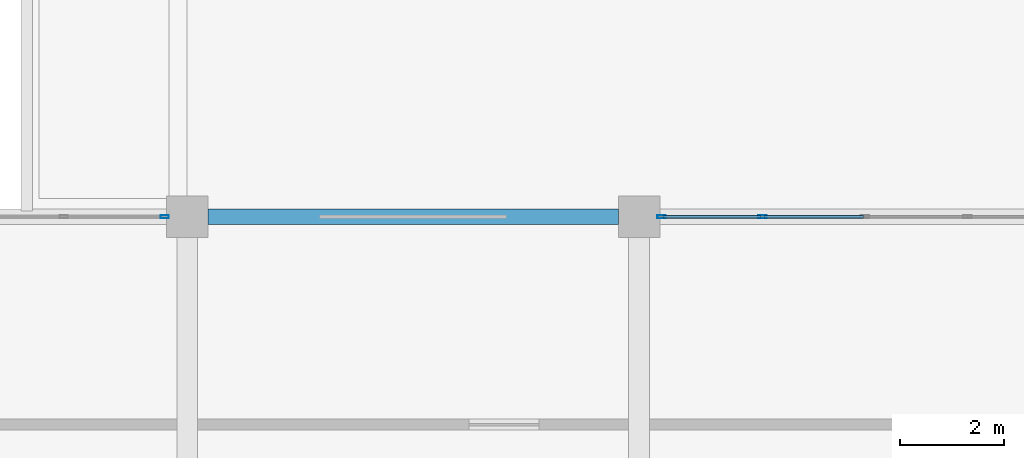
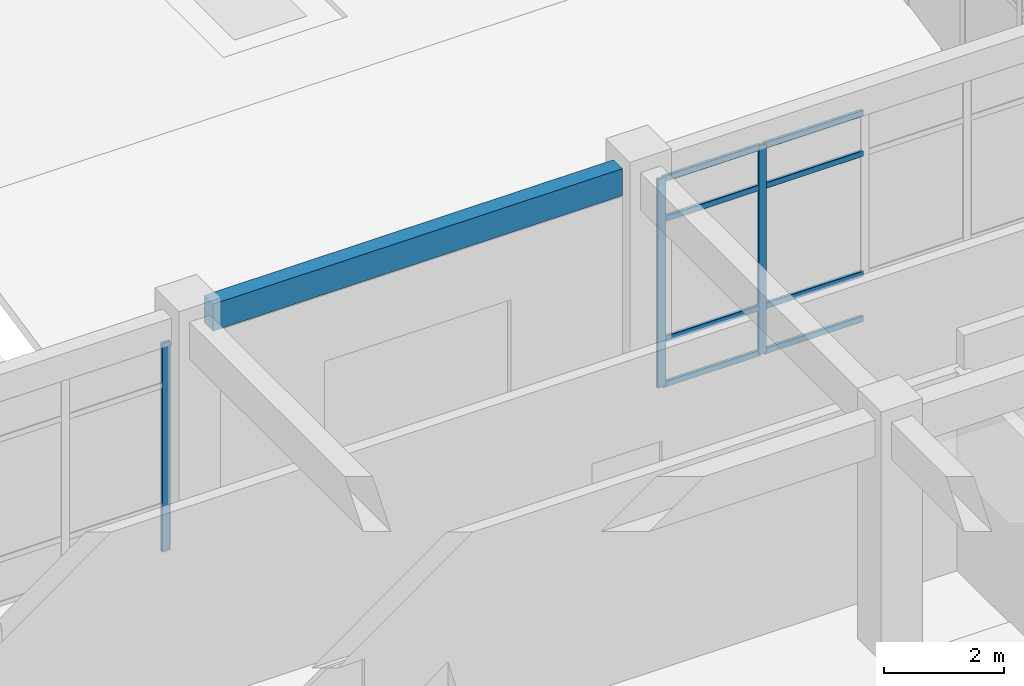
# One storey, part 18 of 124: 11 members, 1 beam, 2 elements without a shape of their own.
"""IFC4 building model written with IfcOpenShell, lengths in metres."""

from ifc_helpers import new_model, si_unit, derived_unit, direction, frame, origin, origin_2d, place, context, subcontext, project, spatial, rectangle, hollow_rectangle, extrude, material, layer, layer_set, material_profile, profile_set, type_object, element, aggregate, save


model = new_model("IFC4")

# Units and contexts
model_context = context("Model", 3, precision=1e-05, world=origin(), true_north=direction((0.0, 1.0)))
body_context = subcontext(model_context, "Body", "Model", "MODEL_VIEW")
ifc_project = project(units=[si_unit("LENGTHUNIT", "METRE"), si_unit("AREAUNIT", "SQUARE_METRE"), si_unit("VOLUMEUNIT", "CUBIC_METRE"), si_unit("PLANEANGLEUNIT", "RADIAN"), si_unit("MASSUNIT", "GRAM", prefix="KILO"), derived_unit("THERMALTRANSMITTANCEUNIT", [(si_unit("MASSUNIT", "GRAM", prefix="KILO"), 1), (si_unit("TIMEUNIT", "SECOND"), -3), (si_unit("THERMODYNAMICTEMPERATUREUNIT", "KELVIN"), -1)])], contexts=[model_context])

# Site, building, storey
site_placement = place(None, origin())
site = spatial("IfcSite", under=ifc_project, at=site_placement, CompositionType="ELEMENT")
building_placement = place(site_placement, origin())
building = spatial("IfcBuilding", under=site, at=building_placement, Name="Qinzheling Arcade Emporium", CompositionType="ELEMENT")
storey_placement = place(building_placement, frame((0.0, 0.0, 16.5)))
storey = spatial("IfcBuildingStorey", under=building, at=storey_placement, Name="L04", CompositionType="ELEMENT", Elevation=16.5)

# Curtain wall, member
ifc_material_1 = material(Name="Anodised aluminium and solar-control double glazing", Category="aluminium")
ifc_layer = layer(ifc_material_1, 0.159912109375, Name="Anodised aluminium and solar-control double glazing", Category="aluminium")
ifc_layer_set = layer_set([ifc_layer], Name="Anodised aluminium and solar-control double glazing")
curtain_wall_type = type_object("IfcCurtainWallType", Name="Atrium Clerestory Curtain Wall", PredefinedType="NOTDEFINED", material=ifc_layer_set)
curtain_wall_1_placement = place(storey_placement, origin())
curtain_wall_1 = element("IfcCurtainWall", 1, at=curtain_wall_1_placement, inside=storey, type_object=curtain_wall_type, Name="Curtain Wall CW-L04-238", PredefinedType="NOTDEFINED")
ifc_material_2 = material(Name="Anodised aluminium 6063-T6", Category="aluminium")
ifc_material_profile_1 = material_profile(ifc_material_2, hollow_rectangle(XDim=0.06005859375, YDim=0.159912109375, WallThickness=0.00390625, InnerFilletRadius=0.00390625, OuterFilletRadius=0.008056640625, at=origin_2d()), Name="RHS 160x60x4", Category="aluminium")
ifc_profile_set_1 = profile_set([ifc_material_profile_1], Name="Anodised aluminium 6063-T6")
member_type_1 = type_object("IfcMemberType", Name="Curtain Wall Mullion RHS160x60", PredefinedType="MULLION", material=ifc_profile_set_1)
member_1_placement = place(storey_placement, frame((16.968017578125, 42.0, 0.0), z_axis=(0.0, 0.0, 1.0), x_axis=(0.0, 1.0, 0.0)))
member_1 = element("IfcMember", 2, at=member_1_placement, type_object=member_type_1, Name="CW03 mullion 5", PredefinedType="MULLION", context=body_context, shape_type="SweptSolid", body=[
    extrude(hollow_rectangle(XDim=0.06005859375, YDim=0.159912109375, WallThickness=0.00390625, InnerFilletRadius=0.00390625, OuterFilletRadius=0.008056640625, at=origin_2d()), origin(), (0.0, 0.0, 1.0), 4.2548828125),
])
aggregate(curtain_wall_1, [member_1])

# Curtain wall, members
curtain_wall_2_placement = place(storey_placement, origin())
curtain_wall_2 = element("IfcCurtainWall", 3, at=curtain_wall_2_placement, inside=storey, type_object=curtain_wall_type, Name="Curtain Wall CW-L04-239", PredefinedType="NOTDEFINED")
member_2_placement = place(storey_placement, frame((26.531982421875, 42.0, 0.0), z_axis=(0.0, 0.0, 1.0), x_axis=(0.0, 1.0, 0.0)))
member_2 = element("IfcMember", 4, at=member_2_placement, type_object=member_type_1, Name="CW03 mullion 1", PredefinedType="MULLION", context=body_context, shape_type="SweptSolid", body=[
    extrude(hollow_rectangle(XDim=0.06005859375, YDim=0.159912109375, WallThickness=0.00390625, InnerFilletRadius=0.00390625, OuterFilletRadius=0.008056640625, at=origin_2d()), origin(), (0.0, 0.0, 1.0), 4.2548828125),
])
member_3_placement = place(storey_placement, frame((28.47607421875, 42.0, 0.0), z_axis=(0.0, 0.0, 1.0), x_axis=(0.0, 1.0, 0.0)))
member_3 = element("IfcMember", 5, at=member_3_placement, type_object=member_type_1, Name="CW03 mullion 2", PredefinedType="MULLION", context=body_context, shape_type="SweptSolid", body=[
    extrude(hollow_rectangle(XDim=0.06005859375, YDim=0.159912109375, WallThickness=0.00390625, InnerFilletRadius=0.00390625, OuterFilletRadius=0.008056640625, at=origin_2d()), origin(), (0.0, 0.0, 1.0), 4.2548828125),
])
ifc_material_profile_2 = material_profile(ifc_material_2, hollow_rectangle(XDim=0.06005859375, YDim=0.1201171875, WallThickness=0.00390625, InnerFilletRadius=0.00390625, OuterFilletRadius=0.008056640625, at=origin_2d()), Name="RHS 120x60x4", Category="aluminium")
ifc_profile_set_2 = profile_set([ifc_material_profile_2], Name="Anodised aluminium 6063-T6")
member_type_2 = type_object("IfcMemberType", Name="Curtain Wall Transom RHS120x60", PredefinedType="USERDEFINED", material=ifc_profile_set_2)
member_4_placement = place(storey_placement, frame((26.56201171875, 42.0, 0.030029296875), z_axis=(1.0, 0.0, 0.0), x_axis=(0.0, 1.0, 0.0)))
member_4 = element("IfcMember", 6, at=member_4_placement, type_object=member_type_2, Name="CW03 transom 1.1", ObjectType="TRANSOM", PredefinedType="USERDEFINED", context=body_context, shape_type="SweptSolid", body=[
    extrude(hollow_rectangle(XDim=0.06005859375, YDim=0.1201171875, WallThickness=0.00390625, InnerFilletRadius=0.00390625, OuterFilletRadius=0.008056640625, at=origin_2d()), origin(), (0.0, 0.0, 1.0), 1.884033203125),
])
member_5_placement = place(storey_placement, frame((26.56201171875, 42.0, 0.949951171875), z_axis=(1.0, 0.0, 0.0), x_axis=(0.0, 1.0, 0.0)))
member_5 = element("IfcMember", 7, at=member_5_placement, type_object=member_type_2, Name="CW03 transom 1.2", ObjectType="TRANSOM", PredefinedType="USERDEFINED", context=body_context, shape_type="SweptSolid", body=[
    extrude(hollow_rectangle(XDim=0.06005859375, YDim=0.1201171875, WallThickness=0.00390625, InnerFilletRadius=0.00390625, OuterFilletRadius=0.008056640625, at=origin_2d()), origin(), (0.0, 0.0, 1.0), 1.884033203125),
])
member_6_placement = place(storey_placement, frame((26.56201171875, 42.0, 3.405029296875), z_axis=(1.0, 0.0, 0.0), x_axis=(0.0, 1.0, 0.0)))
member_6 = element("IfcMember", 8, at=member_6_placement, type_object=member_type_2, Name="CW03 transom 1.3", ObjectType="TRANSOM", PredefinedType="USERDEFINED", context=body_context, shape_type="SweptSolid", body=[
    extrude(hollow_rectangle(XDim=0.06005859375, YDim=0.1201171875, WallThickness=0.00390625, InnerFilletRadius=0.00390625, OuterFilletRadius=0.008056640625, at=origin_2d()), origin(), (0.0, 0.0, 1.0), 1.884033203125),
])
member_7_placement = place(storey_placement, frame((26.56201171875, 42.0, 4.22509765625), z_axis=(1.0, 0.0, 0.0), x_axis=(0.0, 1.0, 0.0)))
member_7 = element("IfcMember", 9, at=member_7_placement, type_object=member_type_2, Name="CW03 transom 1.4", ObjectType="TRANSOM", PredefinedType="USERDEFINED", context=body_context, shape_type="SweptSolid", body=[
    extrude(hollow_rectangle(XDim=0.06005859375, YDim=0.1201171875, WallThickness=0.00390625, InnerFilletRadius=0.00390625, OuterFilletRadius=0.008056640625, at=origin_2d()), origin(), (0.0, 0.0, 1.0), 1.884033203125),
])
member_8_placement = place(storey_placement, frame((28.506103515625, 42.0, 0.030029296875), z_axis=(1.0, 0.0, 0.0), x_axis=(0.0, 1.0, 0.0)))
member_8 = element("IfcMember", 10, at=member_8_placement, type_object=member_type_2, Name="CW03 transom 2.1", ObjectType="TRANSOM", PredefinedType="USERDEFINED", context=body_context, shape_type="SweptSolid", body=[
    extrude(hollow_rectangle(XDim=0.06005859375, YDim=0.1201171875, WallThickness=0.00390625, InnerFilletRadius=0.00390625, OuterFilletRadius=0.008056640625, at=origin_2d()), origin(), (0.0, 0.0, 1.0), 1.913818359375),
])
member_9_placement = place(storey_placement, frame((28.506103515625, 42.0, 0.949951171875), z_axis=(1.0, 0.0, 0.0), x_axis=(0.0, 1.0, 0.0)))
member_9 = element("IfcMember", 11, at=member_9_placement, type_object=member_type_2, Name="CW03 transom 2.2", ObjectType="TRANSOM", PredefinedType="USERDEFINED", context=body_context, shape_type="SweptSolid", body=[
    extrude(hollow_rectangle(XDim=0.06005859375, YDim=0.1201171875, WallThickness=0.00390625, InnerFilletRadius=0.00390625, OuterFilletRadius=0.008056640625, at=origin_2d()), origin(), (0.0, 0.0, 1.0), 1.913818359375),
])
member_10_placement = place(storey_placement, frame((28.506103515625, 42.0, 3.405029296875), z_axis=(1.0, 0.0, 0.0), x_axis=(0.0, 1.0, 0.0)))
member_10 = element("IfcMember", 12, at=member_10_placement, type_object=member_type_2, Name="CW03 transom 2.3", ObjectType="TRANSOM", PredefinedType="USERDEFINED", context=body_context, shape_type="SweptSolid", body=[
    extrude(hollow_rectangle(XDim=0.06005859375, YDim=0.1201171875, WallThickness=0.00390625, InnerFilletRadius=0.00390625, OuterFilletRadius=0.008056640625, at=origin_2d()), origin(), (0.0, 0.0, 1.0), 1.913818359375),
])
member_11_placement = place(storey_placement, frame((28.506103515625, 42.0, 4.22509765625), z_axis=(1.0, 0.0, 0.0), x_axis=(0.0, 1.0, 0.0)))
member_11 = element("IfcMember", 13, at=member_11_placement, type_object=member_type_2, Name="CW03 transom 2.4", ObjectType="TRANSOM", PredefinedType="USERDEFINED", context=body_context, shape_type="SweptSolid", body=[
    extrude(hollow_rectangle(XDim=0.06005859375, YDim=0.1201171875, WallThickness=0.00390625, InnerFilletRadius=0.00390625, OuterFilletRadius=0.008056640625, at=origin_2d()), origin(), (0.0, 0.0, 1.0), 1.913818359375),
])
aggregate(curtain_wall_2, [member_2, member_3, member_4, member_5, member_6, member_7, member_8, member_9, member_10, member_11])

# Beam
ifc_material_3 = material(Name="Concrete C40", Category="concrete")
ifc_material_profile_3 = material_profile(ifc_material_3, rectangle(XDim=0.300048828125, YDim=0.550048828125, at=origin_2d()), Name="RC 300x550", Category="concrete")
ifc_profile_set_3 = profile_set([ifc_material_profile_3], Name="Concrete C40")
beam_type = type_object("IfcBeamType", Name="RC Terrace Spandrel Beam 300x550 C40", PredefinedType="SPANDREL", material=ifc_profile_set_3)
beam_placement = place(storey_placement, frame((17.800048828125, 42.0, 4.544921875), z_axis=(1.0, 0.0, 0.0), x_axis=(0.0, 1.0, 0.0)))
element("IfcBeam", 14, at=beam_placement, inside=storey, type_object=beam_type, Name="Beam BM-L04-X-F-3", PredefinedType="SPANDREL", context=body_context, shape_type="SweptSolid", body=[
    extrude(rectangle(XDim=0.300048828125, YDim=0.550048828125, at=origin_2d()), origin(), (0.0, 0.0, 1.0), 7.89990234375),
])

save(model, "model.ifc")
